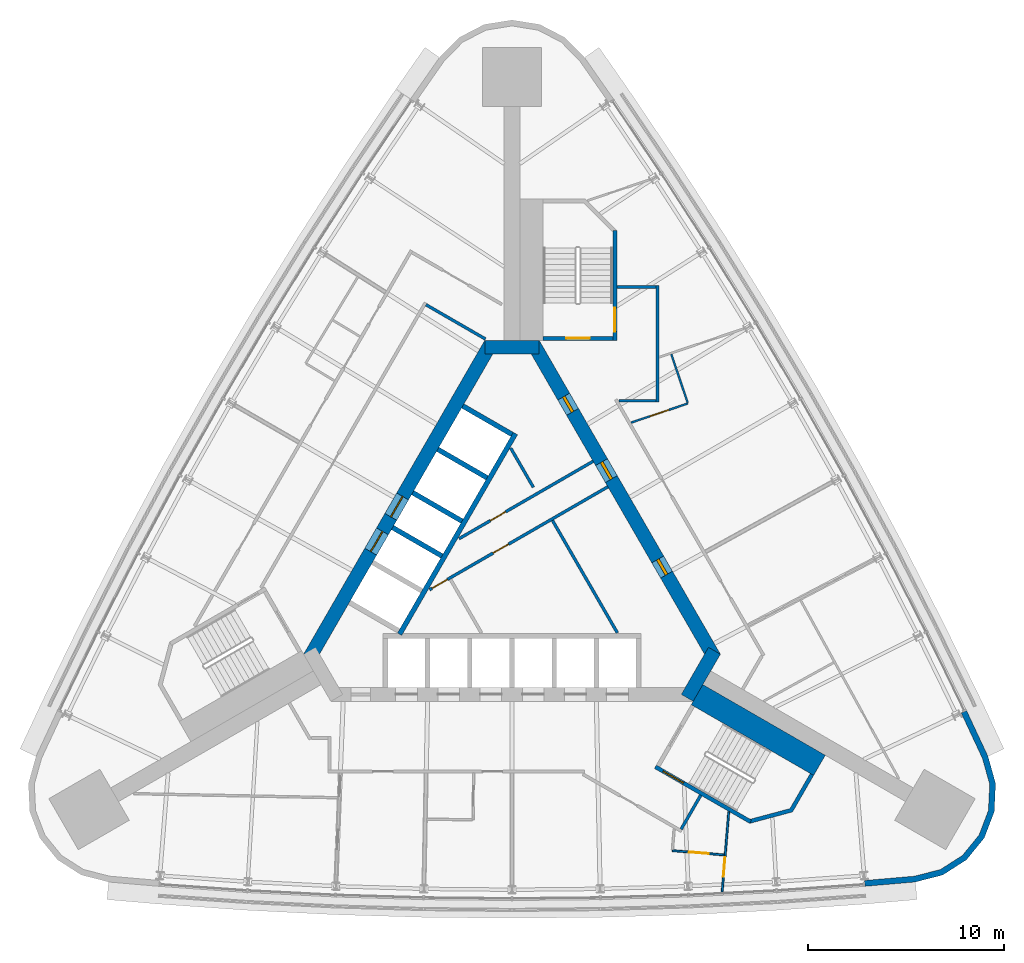
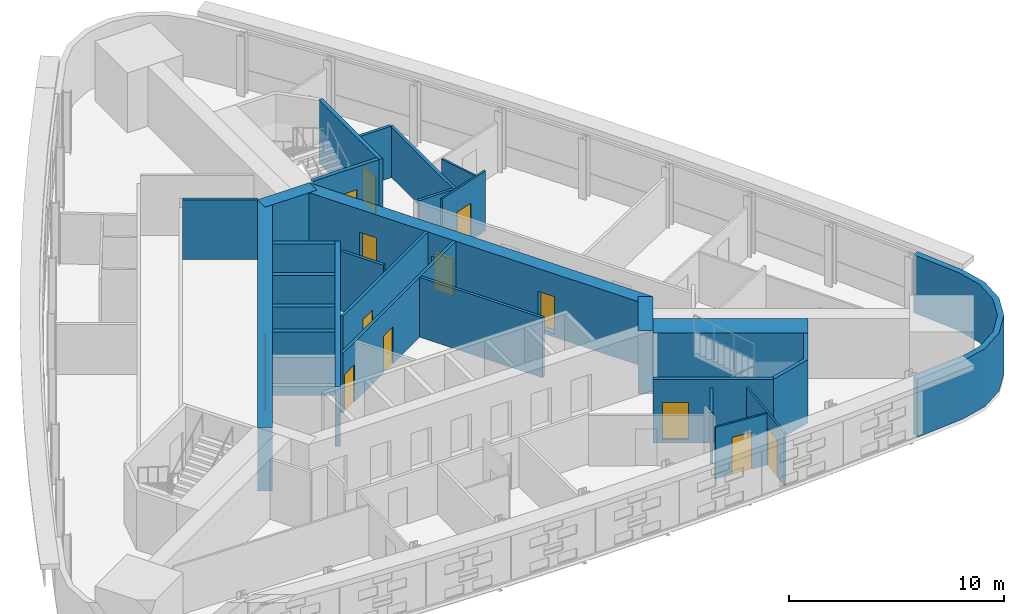
# One storey, part 8 of 11: 28 walls, 14 doors, 14 openings.
"""IFC4 building model written with IfcOpenShell, lengths in metres."""

from ifc_helpers import new_model, si_unit, direction, frame, frame_2d, origin, place, context, subcontext, project, spatial, polyline, rectangle, outline, extrude, material, layer, layer_set, type_object, element, fill, save


model = new_model("IFC4")

# Units and contexts
model_context = context("Model", 3, precision=1e-05, world=origin(), true_north=direction((0.0, 1.0)))
body_context = subcontext(model_context, "Body", "Model", "MODEL_VIEW")
ifc_project = project(units=[si_unit("LENGTHUNIT", "METRE"), si_unit("AREAUNIT", "SQUARE_METRE"), si_unit("VOLUMEUNIT", "CUBIC_METRE"), si_unit("PLANEANGLEUNIT", "RADIAN"), si_unit("MASSUNIT", "GRAM", prefix="KILO")], contexts=[model_context])

# Site, building, storey
site_placement = place(None, origin())
site = spatial("IfcSite", under=ifc_project, at=site_placement, CompositionType="ELEMENT")
building_placement = place(site_placement, origin())
building = spatial("IfcBuilding", under=site, at=building_placement, Name="Noor Cloister Tower", CompositionType="ELEMENT")
storey_placement = place(building_placement, frame((0.0, 0.0, 109.5)))
storey = spatial("IfcBuildingStorey", under=building, at=storey_placement, Name="L28", CompositionType="ELEMENT", Elevation=109.5)

# Wall, openings, doors
ifc_material_1 = material(Name="Concrete C30/37", Category="concrete")
ifc_layer_1 = layer(ifc_material_1, 0.14990234375)
ifc_layer_set_1 = layer_set([ifc_layer_1], Name="Core partition 150 C30/37")
wall_type_1 = type_object("IfcWallType", Name="Core partition 150 C30/37", PredefinedType="PARTITIONING", material=ifc_layer_set_1)
wall_1_placement = place(storey_placement, frame((-4.19775390625, -1.244384765625, 0.0), z_axis=(0.0, 0.0, 1.0), x_axis=(0.866020798945, 0.500007975732, 0.0)))
wall_1 = element("IfcWall", 1, at=wall_1_placement, inside=storey, type_object=wall_type_1, Name="Core room partition L28 1", PredefinedType="PARTITIONING", context=body_context, shape_type="SweptSolid", body=[
    extrude(rectangle(XDim=10.485595703125, YDim=0.14990234375, at=frame_2d((5.24267578125, 0.0))), origin(), (0.0, 0.0, 1.0), 3.39990234375),
])
opening_1_placement = place(wall_1_placement, frame((3.735595703125, 0.0, 0.0)))
opening_1 = element("IfcOpeningElement", 2, at=opening_1_placement, cuts=wall_1, Name="Opening L28-904", PredefinedType="OPENING", context=body_context, shape_type="SweptSolid", body=[
    extrude(rectangle(XDim=0.89990234375, YDim=2.10009765625, at=frame_2d((0.449951171875, 1.050048828125))), frame((0.0, 0.0849609375, 0.0), z_axis=(0.0, -1.0, 0.0), x_axis=(1.0, 0.0, 0.0)), (0.0, 0.0, 1.0), 0.169921875),
])
opening_2_placement = place(wall_1_placement, frame((0.143798828125, 0.0, 0.0)))
opening_2 = element("IfcOpeningElement", 3, at=opening_2_placement, cuts=wall_1, Name="Opening L28-906", PredefinedType="OPENING", context=body_context, shape_type="SweptSolid", body=[
    extrude(rectangle(XDim=0.89990234375, YDim=2.10009765625, at=frame_2d((0.449951171875, 1.050048828125))), frame((0.0, 0.0849609375, 0.0), z_axis=(0.0, -1.0, 0.0), x_axis=(1.0, 0.0, 0.0)), (0.0, 0.0, 1.0), 0.169921875),
])
ifc_material_2 = material(Name="Steel", Category="steel")
door_type_1 = type_object("IfcDoorType", Name="Core door 900 x 2100 FD120", OperationType="SINGLE_SWING_LEFT", PredefinedType="DOOR", material=ifc_material_2)
door_1_placement = place(opening_2_placement, origin())
door_1 = element("IfcDoor", 4, at=door_1_placement, inside=storey, type_object=door_type_1, Name="Core door 6 L28", OperationType="SINGLE_SWING_RIGHT", OverallHeight=2.10009765625, OverallWidth=0.89990234375, PredefinedType="DOOR", context=body_context, shape_type="SweptSolid", body=[
    extrude(rectangle(XDim=0.89990234375, YDim=2.10009765625, at=frame_2d((0.449951171875, 1.050048828125))), frame((0.0, 0.02490234375, 0.0), z_axis=(0.0, -1.0, 0.0), x_axis=(1.0, 0.0, 0.0)), (0.0, 0.0, 1.0), 0.050048828125),
])
fill(opening_2, door_1)
ifc_material_3 = material(Name="Steel", Category="steel")
door_type_2 = type_object("IfcDoorType", Name="Core door 900 x 2100 FD60", OperationType="SINGLE_SWING_LEFT", PredefinedType="DOOR", material=ifc_material_3)
door_2_placement = place(opening_1_placement, origin())
door_2 = element("IfcDoor", 5, at=door_2_placement, inside=storey, type_object=door_type_2, Name="Core door 4 L28", OperationType="SINGLE_SWING_RIGHT", OverallHeight=2.10009765625, OverallWidth=0.89990234375, PredefinedType="DOOR", context=body_context, shape_type="SweptSolid", body=[
    extrude(rectangle(XDim=0.89990234375, YDim=2.10009765625, at=frame_2d((0.449951171875, 1.050048828125))), frame((0.0, 0.02490234375, 0.0), z_axis=(0.0, -1.0, 0.0), x_axis=(1.0, 0.0, 0.0)), (0.0, 0.0, 1.0), 0.050048828125),
])
fill(opening_1, door_2)

# Wall
wall_2_placement = place(storey_placement, frame((5.36669921875, -3.439208984375, 0.0), z_axis=(0.0, 0.0, 1.0), x_axis=(-0.499981499682, 0.866036084685, 0.0)))
element("IfcWall", 6, at=wall_2_placement, inside=storey, type_object=wall_type_1, Name="Core room partition L28 2", PredefinedType="PARTITIONING", context=body_context, shape_type="SweptSolid", body=[
    extrude(rectangle(XDim=6.608154296875, YDim=0.14990234375, at=frame_2d((3.30419921875, 0.0))), origin(), (0.0, 0.0, 1.0), 3.39990234375),
])

# Wall, opening, door
wall_3_placement = place(storey_placement, frame((-2.69775390625, 1.353759765625, 0.0), z_axis=(0.0, 0.0, 1.0), x_axis=(0.866021157486, 0.500007354732, 0.0)))
wall_3 = element("IfcWall", 7, at=wall_3_placement, inside=storey, type_object=wall_type_1, Name="Core room partition L28 4", PredefinedType="PARTITIONING", context=body_context, shape_type="SweptSolid", body=[
    extrude(rectangle(XDim=7.8876953125, YDim=0.14990234375, at=frame_2d((3.94384765625, 0.0))), origin(), (0.0, 0.0, 1.0), 3.39990234375),
])
opening_3_placement = place(wall_3_placement, frame((1.8447265625, 0.0, 0.0)))
opening_3 = element("IfcOpeningElement", 8, at=opening_3_placement, cuts=wall_3, Name="Opening L28-905", PredefinedType="OPENING", context=body_context, shape_type="SweptSolid", body=[
    extrude(rectangle(XDim=0.89990234375, YDim=2.10009765625, at=frame_2d((0.449951171875, 1.050048828125))), frame((0.0, 0.0849609375, 0.0), z_axis=(0.0, -1.0, 0.0), x_axis=(1.0, 0.0, 0.0)), (0.0, 0.0, 1.0), 0.169921875),
])
door_3_placement = place(opening_3_placement, origin())
door_3 = element("IfcDoor", 9, at=door_3_placement, inside=storey, type_object=door_type_1, Name="Core door 5 L28", OperationType="SINGLE_SWING_LEFT", OverallHeight=2.10009765625, OverallWidth=0.89990234375, PredefinedType="DOOR", context=body_context, shape_type="SweptSolid", body=[
    extrude(rectangle(XDim=0.89990234375, YDim=2.10009765625, at=frame_2d((0.449951171875, 1.050048828125))), frame((0.0, 0.02490234375, 0.0), z_axis=(0.0, -1.0, 0.0), x_axis=(1.0, 0.0, 0.0)), (0.0, 0.0, 1.0), 0.050048828125),
])
fill(opening_3, door_3)

# Walls
wall_4_placement = place(storey_placement, frame((1.087890625, 3.972412109375, 0.0), z_axis=(0.0, 0.0, 1.0), x_axis=(-0.500116913307, 0.865957893332, 0.0)))
element("IfcWall", 10, at=wall_4_placement, inside=storey, type_object=wall_type_1, Name="Core room partition L28 5", PredefinedType="PARTITIONING", context=body_context, shape_type="SweptSolid", body=[
    extrude(rectangle(XDim=2.3037109375, YDim=0.14990234375, at=frame_2d((1.15185546875, 0.0))), origin(), (0.0, 0.0, 1.0), 3.39990234375),
])
ifc_material_4 = material(Name="Concrete C80/95", Category="concrete")
ifc_layer_2 = layer(ifc_material_4, 0.699951171875)
ifc_layer_set_2 = layer_set([ifc_layer_2], Name="Core wall 700 C80/95")
wall_type_2 = type_object("IfcWallType", Name="Core wall 700 C80/95", PredefinedType="SHEAR", material=ifc_layer_set_2)
wall_5_placement = place(storey_placement, frame((8.925537109375, -6.753173828125, -0.199951171875), z_axis=(0.0, 0.0, 1.0), x_axis=(0.500042739161, 0.866000726912, 0.0)))
element("IfcWall", 11, at=wall_5_placement, inside=storey, type_object=wall_type_2, Name="Core wall L28 2", PredefinedType="SHEAR", context=body_context, shape_type="SweptSolid", body=[
    extrude(rectangle(XDim=2.771240234375, YDim=0.699951171875, at=frame_2d((1.3857421875, 0.0))), origin(), (0.0, 0.0, 1.0), 3.599853515625),
])

# Wall, openings, doors
wall_6_placement = place(storey_placement, frame((10.311279296875, -4.703125, -0.199951171875), z_axis=(0.0, 0.0, 1.0), x_axis=(-0.500001446645, 0.866024568562, 0.0)))
wall_6 = element("IfcWall", 12, at=wall_6_placement, inside=storey, type_object=wall_type_2, Name="Core wall L28 3", PredefinedType="SHEAR", context=body_context, shape_type="SweptSolid", body=[
    extrude(rectangle(XDim=18.45751953125, YDim=0.699951171875, at=frame_2d((9.228759765625, 0.0))), origin(), (0.0, 0.0, 1.0), 3.599853515625),
])
opening_4_placement = place(wall_6_placement, frame((10.5, 0.0, 0.199951171875)))
opening_4 = element("IfcOpeningElement", 13, at=opening_4_placement, cuts=wall_6, Name="Opening L28-901", PredefinedType="OPENING", context=body_context, shape_type="SweptSolid", body=[
    extrude(rectangle(XDim=1.0, YDim=2.10009765625, at=frame_2d((0.5, 1.050048828125))), frame((0.0, 0.35986328125, 0.0), z_axis=(0.0, -1.0, 0.0), x_axis=(1.0, 0.0, 0.0)), (0.0, 0.0, 1.0), 0.719970703125),
])
opening_5_placement = place(wall_6_placement, frame((4.876953125, 0.0, 0.199951171875)))
opening_5 = element("IfcOpeningElement", 14, at=opening_5_placement, cuts=wall_6, Name="Opening L28-902", PredefinedType="OPENING", context=body_context, shape_type="SweptSolid", body=[
    extrude(rectangle(XDim=0.89990234375, YDim=2.10009765625, at=frame_2d((0.449951171875, 1.050048828125))), frame((0.0, 0.35986328125, 0.0), z_axis=(0.0, -1.0, 0.0), x_axis=(1.0, 0.0, 0.0)), (0.0, 0.0, 1.0), 0.719970703125),
])
opening_6_placement = place(wall_6_placement, frame((14.45166015625, 0.0, 0.199951171875)))
opening_6 = element("IfcOpeningElement", 15, at=opening_6_placement, cuts=wall_6, Name="Opening L28-903", PredefinedType="OPENING", context=body_context, shape_type="SweptSolid", body=[
    extrude(rectangle(XDim=0.89990234375, YDim=2.10009765625, at=frame_2d((0.449951171875, 1.050048828125))), frame((0.0, 0.35986328125, 0.0), z_axis=(0.0, -1.0, 0.0), x_axis=(1.0, 0.0, 0.0)), (0.0, 0.0, 1.0), 0.719970703125),
])
ifc_material_5 = material(Name="Steel", Category="steel")
door_type_3 = type_object("IfcDoorType", Name="Core door 1000 x 2100 FD120", OperationType="SINGLE_SWING_LEFT", PredefinedType="DOOR", material=ifc_material_5)
door_4_placement = place(opening_4_placement, origin())
door_4 = element("IfcDoor", 16, at=door_4_placement, inside=storey, type_object=door_type_3, Name="Core door 1 L28", OperationType="SINGLE_SWING_LEFT", OverallHeight=2.10009765625, OverallWidth=1.0, PredefinedType="DOOR", context=body_context, shape_type="SweptSolid", body=[
    extrude(rectangle(XDim=1.0, YDim=2.10009765625, at=frame_2d((0.5, 1.050048828125))), frame((0.0, 0.074951171875, 0.0), z_axis=(0.0, -1.0, 0.0), x_axis=(1.0, 0.0, 0.0)), (0.0, 0.0, 1.0), 0.14990234375),
])
fill(opening_4, door_4)
door_5_placement = place(opening_5_placement, origin())
door_5 = element("IfcDoor", 17, at=door_5_placement, inside=storey, type_object=door_type_1, Name="Core door 2 L28", OperationType="SINGLE_SWING_RIGHT", OverallHeight=2.10009765625, OverallWidth=0.89990234375, PredefinedType="DOOR", context=body_context, shape_type="SweptSolid", body=[
    extrude(rectangle(XDim=0.89990234375, YDim=2.10009765625, at=frame_2d((0.449951171875, 1.050048828125))), frame((0.0, 0.074951171875, 0.0), z_axis=(0.0, -1.0, 0.0), x_axis=(1.0, 0.0, 0.0)), (0.0, 0.0, 1.0), 0.14990234375),
])
fill(opening_5, door_5)
door_6_placement = place(opening_6_placement, origin())
door_6 = element("IfcDoor", 18, at=door_6_placement, inside=storey, type_object=door_type_1, Name="Core door 3 L28", OperationType="SINGLE_SWING_LEFT", OverallHeight=2.10009765625, OverallWidth=0.89990234375, PredefinedType="DOOR", context=body_context, shape_type="SweptSolid", body=[
    extrude(rectangle(XDim=0.89990234375, YDim=2.10009765625, at=frame_2d((0.449951171875, 1.050048828125))), frame((0.0, 0.074951171875, 0.0), z_axis=(0.0, -1.0, 0.0), x_axis=(1.0, 0.0, 0.0)), (0.0, 0.0, 1.0), 0.14990234375),
])
fill(opening_6, door_6)

# Wall
wall_7_placement = place(storey_placement, frame((1.3857421875, 11.1064453125, -0.199951171875), z_axis=(0.0, 0.0, 1.0), x_axis=(-1.0, 0.0, 0.0)))
element("IfcWall", 19, at=wall_7_placement, inside=storey, type_object=wall_type_2, Name="Core wall L28 4", PredefinedType="SHEAR", context=body_context, shape_type="SweptSolid", body=[
    extrude(rectangle(XDim=2.771484375, YDim=0.699951171875, at=frame_2d((1.3857421875, 0.0))), origin(), (0.0, 0.0, 1.0), 3.599853515625),
])

# Wall, openings, doors
wall_8_placement = place(storey_placement, frame((-1.08251953125, 11.281494140625, -0.199951171875), z_axis=(0.0, 0.0, 1.0), x_axis=(-0.500001446645, -0.866024568562, 0.0)))
wall_8 = element("IfcWall", 20, at=wall_8_placement, inside=storey, type_object=wall_type_2, Name="Core wall L28 5", PredefinedType="SHEAR", context=body_context, shape_type="SweptSolid", body=[
    extrude(rectangle(XDim=18.45751953125, YDim=0.699951171875, at=frame_2d((9.228759765625, 0.0))), origin(), (0.0, 0.0, 1.0), 3.599853515625),
])
opening_7_placement = place(wall_8_placement, frame((8.978759765625, 0.0, 0.199951171875)))
opening_7 = element("IfcOpeningElement", 21, at=opening_7_placement, cuts=wall_8, Name="Opening L28-FF1", PredefinedType="OPENING", context=body_context, shape_type="SweptSolid", body=[
    extrude(rectangle(XDim=1.199951171875, YDim=2.10009765625, at=frame_2d((0.60009765625, 1.050048828125))), frame((0.0, 0.35986328125, 0.0), z_axis=(0.0, -1.0, 0.0), x_axis=(1.0, 0.0, 0.0)), (0.0, 0.0, 1.0), 0.719970703125),
])
opening_8_placement = place(wall_8_placement, frame((11.02880859375, 0.0, 0.199951171875)))
opening_8 = element("IfcOpeningElement", 22, at=opening_8_placement, cuts=wall_8, Name="Opening L28-FF2", PredefinedType="OPENING", context=body_context, shape_type="SweptSolid", body=[
    extrude(rectangle(XDim=1.199951171875, YDim=2.10009765625, at=frame_2d((0.60009765625, 1.050048828125))), frame((0.0, 0.35986328125, 0.0), z_axis=(0.0, -1.0, 0.0), x_axis=(1.0, 0.0, 0.0)), (0.0, 0.0, 1.0), 0.719970703125),
])
ifc_material_6 = material(Name="Stainless steel", Category="steel")
door_type_4 = type_object("IfcDoorType", Name="Lift landing door 1200 x 2100", OperationType="DOUBLE_DOOR_SLIDING", PredefinedType="DOOR", material=ifc_material_6)
door_7_placement = place(opening_7_placement, origin())
door_7 = element("IfcDoor", 23, at=door_7_placement, inside=storey, type_object=door_type_4, Name="Landing door FF1 L28", OperationType="DOUBLE_DOOR_SLIDING", OverallHeight=2.10009765625, OverallWidth=1.199951171875, PredefinedType="DOOR", context=body_context, shape_type="SweptSolid", body=[
    extrude(rectangle(XDim=1.199951171875, YDim=2.10009765625, at=frame_2d((0.60009765625, 1.050048828125))), frame((0.0, 0.02490234375, 0.0), z_axis=(0.0, -1.0, 0.0), x_axis=(1.0, 0.0, 0.0)), (0.0, 0.0, 1.0), 0.050048828125),
])
fill(opening_7, door_7)
door_8_placement = place(opening_8_placement, origin())
door_8 = element("IfcDoor", 24, at=door_8_placement, inside=storey, type_object=door_type_4, Name="Landing door FF2 L28", OperationType="DOUBLE_DOOR_SLIDING", OverallHeight=2.10009765625, OverallWidth=1.199951171875, PredefinedType="DOOR", context=body_context, shape_type="SweptSolid", body=[
    extrude(rectangle(XDim=1.199951171875, YDim=2.10009765625, at=frame_2d((0.60009765625, 1.050048828125))), frame((0.0, 0.02490234375, 0.0), z_axis=(0.0, -1.0, 0.0), x_axis=(1.0, 0.0, 0.0)), (0.0, 0.0, 1.0), 0.050048828125),
])
fill(opening_8, door_8)

# Walls
ifc_material_7 = material(Name="Fire-rated gypsum board partition on steel studs, 150 mm", Category="steel")
ifc_layer_3 = layer(ifc_material_7, 0.14990234375)
ifc_layer_set_3 = layer_set([ifc_layer_3], Name="Fire lobby wall 150")
wall_type_3 = type_object("IfcWallType", Name="Fire lobby wall 150", PredefinedType="PARTITIONING", material=ifc_layer_set_3)
wall_9_placement = place(storey_placement, frame((-4.379150390625, 13.271484375, 0.0), z_axis=(0.0, 0.0, 1.0), x_axis=(0.866019471182, -0.500010275428, 0.0)))
element("IfcWall", 25, at=wall_9_placement, inside=storey, type_object=wall_type_3, Name="Fire lobby wall 150 L28 008", PredefinedType="PARTITIONING", context=body_context, shape_type="SweptSolid", body=[
    extrude(rectangle(XDim=3.5, YDim=0.14990234375, at=frame_2d((1.75, 0.0))), origin(), (0.0, 0.0, 1.0), 3.39990234375),
])
ifc_material_8 = material(Name="Gypsum board partition on steel studs, 150 mm", Category="steel")
ifc_layer_4 = layer(ifc_material_8, 0.14990234375)
ifc_layer_set_4 = layer_set([ifc_layer_4], Name="Flat wall 150")
wall_type_4 = type_object("IfcWallType", Name="Flat wall 150", PredefinedType="PARTITIONING", material=ifc_layer_set_4)
wall_10_placement = place(storey_placement, frame((7.41064453125, 8.306396484375, 0.0), z_axis=(0.0, 0.0, 1.0), x_axis=(0.0, 1.0, 0.0)))
element("IfcWall", 26, at=wall_10_placement, inside=storey, type_object=wall_type_4, Name="Flat wall 150 L28 006", PredefinedType="PARTITIONING", context=body_context, shape_type="SweptSolid", body=[
    extrude(rectangle(XDim=5.949951171875, YDim=0.14990234375, at=frame_2d((2.97509765625, 0.0))), origin(), (0.0, 0.0, 1.0), 2.846923828125),
])
for number, where, z_axis, x_axis, name in (
    (27, (5.335693359375, 14.181396484375, 0.0), (0.0, 0.0, 1.0), (1.0, 0.0, 0.0), "Flat wall 150 L28 009"),
    (28, (8.613525390625, -13.443603515625, 0.0), (0.0, 0.0, 1.0), (0.499972520799, 0.866041268327, 0.0), "Flat wall 150 L28 010"),
):
    element("IfcWall", number, at=place(storey_placement, frame(where, z_axis=z_axis, x_axis=x_axis)), inside=storey, type_object=wall_type_4, Name=name, PredefinedType="PARTITIONING", context=body_context, shape_type="SweptSolid", body=[
        extrude(rectangle(XDim=2.0, YDim=0.14990234375, at=frame_2d((1.0, 0.0))), origin(), (0.0, 0.0, 1.0), 2.923095703125),
    ])
wall_11_placement = place(storey_placement, frame((5.4560546875, 8.38134765625, 0.0), z_axis=(0.0, 0.0, 1.0), x_axis=(1.0, 0.0, 0.0)))
element("IfcWall", 29, at=wall_11_placement, inside=storey, type_object=wall_type_4, Name="Flat wall 150 L28 013", PredefinedType="PARTITIONING", context=body_context, shape_type="SweptSolid", body=[
    extrude(rectangle(XDim=1.879638671875, YDim=0.14990234375, at=frame_2d((0.93994140625, 0.0))), origin(), (0.0, 0.0, 1.0), 2.846923828125),
])
ifc_material_9 = material(Name="Limestone", Category="masonry")
ifc_layer_5 = layer(ifc_material_9, 0.300048828125)
ifc_layer_set_5 = layer_set([ifc_layer_5], Name="Limestone cladding 300")
wall_type_5 = type_object("IfcWallType", Name="Limestone cladding 300", PredefinedType="NOTDEFINED", material=ifc_layer_set_5)
wall_12_placement = place(storey_placement, origin())
element("IfcWall", 30, at=wall_12_placement, inside=storey, type_object=wall_type_5, Name="Limestone pier cladding L28 2.1", PredefinedType="NOTDEFINED", context=body_context, shape_type="SweptSolid", body=[
    extrude(outline(polyline([(17.980712890625, -16.35205078125), (20.550537109375, -16.13037109375), (21.940185546875, -15.77392578125), (23.1484375, -15.000244140625), (24.0537109375, -13.887451171875), (24.56494140625, -12.546875), (24.630615234375, -11.11376953125), (24.24462890625, -9.732177734375), (23.151611328125, -7.395751953125), (22.8798828125, -7.522705078125), (23.96240234375, -9.8369140625), (24.328857421875, -11.148193359375), (24.267333984375, -12.485107421875), (23.79052734375, -13.7353515625), (22.946044921875, -14.773681640625), (21.819091796875, -15.495361328125), (20.5, -15.83349609375), (17.954833984375, -16.05322265625), (17.980712890625, -16.35205078125)])), origin(), (0.0, 0.0, 1.0), 3.300048828125),
])

# Wall, opening, door
ifc_material_10 = material(Name="Gypsum board partition on steel studs, 100 mm", Category="steel")
ifc_layer_6 = layer(ifc_material_10, 0.10009765625)
ifc_layer_set_6 = layer_set([ifc_layer_6], Name="Partition 100")
wall_type_6 = type_object("IfcWallType", Name="Partition 100", PredefinedType="PARTITIONING", material=ifc_layer_set_6)
wall_13_placement = place(storey_placement, frame((11.040283203125, -12.559814453125, 0.0), z_axis=(0.0, 0.0, 1.0), x_axis=(-0.08207509454, -0.996626147989, 0.0)))
wall_13 = element("IfcWall", 31, at=wall_13_placement, inside=storey, type_object=wall_type_6, Name="Partition 100 L28 028", PredefinedType="PARTITIONING", context=body_context, shape_type="SweptSolid", body=[
    extrude(rectangle(XDim=4.10205078125, YDim=0.10009765625, at=frame_2d((2.051025390625, 0.0))), origin(), (0.0, 0.0, 1.0), 2.97412109375),
])
opening_9_placement = place(wall_13_placement, frame((2.32373046875, 0.0, 0.0)))
opening_9 = element("IfcOpeningElement", 32, at=opening_9_placement, cuts=wall_13, Name="Opening L28-018", PredefinedType="OPENING", context=body_context, shape_type="SweptSolid", body=[
    extrude(rectangle(XDim=1.0, YDim=2.10009765625, at=frame_2d((0.5, 1.050048828125))), frame((0.0, 0.06005859375, 0.0), z_axis=(0.0, -1.0, 0.0), x_axis=(1.0, 0.0, 0.0)), (0.0, 0.0, 1.0), 0.1201171875),
])
ifc_material_11 = material(Name="Timber door leaf with steel frame", Category="steel")
door_type_5 = type_object("IfcDoorType", Name="Interior door 1000", OperationType="NOTDEFINED", PredefinedType="DOOR", material=ifc_material_11)
door_9_placement = place(opening_9_placement, origin())
door_9 = element("IfcDoor", 33, at=door_9_placement, inside=storey, type_object=door_type_5, Name="Interior door 1000 L28-018", OperationType="SINGLE_SWING_RIGHT", OverallHeight=2.10009765625, OverallWidth=1.0, PredefinedType="DOOR", context=body_context, shape_type="SweptSolid", body=[
    extrude(rectangle(XDim=1.0, YDim=2.10009765625, at=frame_2d((0.5, 1.050048828125))), frame((0.0, 0.02490234375, 0.0), z_axis=(0.0, -1.0, 0.0), x_axis=(1.0, 0.0, 0.0)), (0.0, 0.0, 1.0), 0.050048828125),
])
fill(opening_9, door_9)

wall_14_placement = place(storey_placement, frame((6.06689453125, 7.267822265625, 0.0), z_axis=(0.0, 0.0, 1.0), x_axis=(0.94756585242, 0.319560565978, 0.0)))
wall_14 = element("IfcWall", 34, at=wall_14_placement, inside=storey, type_object=wall_type_6, Name="Partition 100 L28 030", PredefinedType="PARTITIONING", context=body_context, shape_type="SweptSolid", body=[
    extrude(rectangle(XDim=3.052978515625, YDim=0.10009765625, at=frame_2d((1.5263671875, 0.0))), origin(), (0.0, 0.0, 1.0), 3.39990234375),
])
opening_10_placement = place(wall_14_placement, frame((1.021484375, 0.0, 0.0)))
opening_10 = element("IfcOpeningElement", 35, at=opening_10_placement, cuts=wall_14, Name="Opening L28-020", PredefinedType="OPENING", context=body_context, shape_type="SweptSolid", body=[
    extrude(rectangle(XDim=1.0, YDim=2.10009765625, at=frame_2d((0.5, 1.050048828125))), frame((0.0, 0.06005859375, 0.0), z_axis=(0.0, -1.0, 0.0), x_axis=(1.0, 0.0, 0.0)), (0.0, 0.0, 1.0), 0.1201171875),
])
door_10_placement = place(opening_10_placement, origin())
door_10 = element("IfcDoor", 36, at=door_10_placement, inside=storey, type_object=door_type_5, Name="Interior door 1000 L28-020", OperationType="SINGLE_SWING_LEFT", OverallHeight=2.10009765625, OverallWidth=1.0, PredefinedType="DOOR", context=body_context, shape_type="SweptSolid", body=[
    extrude(rectangle(XDim=1.0, YDim=2.10009765625, at=frame_2d((0.5, 1.050048828125))), frame((0.0, 0.02490234375, 0.0), z_axis=(0.0, -1.0, 0.0), x_axis=(1.0, 0.0, 0.0)), (0.0, 0.0, 1.0), 0.050048828125),
])
fill(opening_10, door_10)

wall_15_placement = place(storey_placement, frame((8.16845703125, -14.534423828125, 0.0), z_axis=(0.0, 0.0, 1.0), x_axis=(0.996625350035, -0.082084783406, 0.0)))
wall_15 = element("IfcWall", 37, at=wall_15_placement, inside=storey, type_object=wall_type_6, Name="Partition 100 L28 031", PredefinedType="PARTITIONING", context=body_context, shape_type="SweptSolid", body=[
    extrude(rectangle(XDim=2.650146484375, YDim=0.10009765625, at=frame_2d((1.3251953125, 0.0))), origin(), (0.0, 0.0, 1.0), 2.923095703125),
])
opening_11_placement = place(wall_15_placement, frame((0.85009765625, 0.0, 0.0)))
opening_11 = element("IfcOpeningElement", 38, at=opening_11_placement, cuts=wall_15, Name="Opening L28-021", PredefinedType="OPENING", context=body_context, shape_type="SweptSolid", body=[
    extrude(rectangle(XDim=1.0, YDim=2.10009765625, at=frame_2d((0.5, 1.050048828125))), frame((0.0, 0.06005859375, 0.0), z_axis=(0.0, -1.0, 0.0), x_axis=(1.0, 0.0, 0.0)), (0.0, 0.0, 1.0), 0.1201171875),
])
door_11_placement = place(opening_11_placement, origin())
door_11 = element("IfcDoor", 39, at=door_11_placement, inside=storey, type_object=door_type_5, Name="Interior door 1000 L28-021", OperationType="SINGLE_SWING_RIGHT", OverallHeight=2.10009765625, OverallWidth=1.0, PredefinedType="DOOR", context=body_context, shape_type="SweptSolid", body=[
    extrude(rectangle(XDim=1.0, YDim=2.10009765625, at=frame_2d((0.5, 1.050048828125))), frame((0.0, 0.02490234375, 0.0), z_axis=(0.0, -1.0, 0.0), x_axis=(1.0, 0.0, 0.0)), (0.0, 0.0, 1.0), 0.050048828125),
])
fill(opening_11, door_11)

# Walls
wall_16_placement = place(storey_placement, frame((8.113037109375, 10.75439453125, 0.0), z_axis=(0.0, 0.0, 1.0), x_axis=(0.31954997077, -0.94756942552, 0.0)))
element("IfcWall", 40, at=wall_16_placement, inside=storey, type_object=wall_type_6, Name="Partition 100 L28 032", PredefinedType="PARTITIONING", context=body_context, shape_type="SweptSolid", body=[
    extrude(rectangle(XDim=2.599853515625, YDim=0.10009765625, at=frame_2d((1.2998046875, 0.0))), origin(), (0.0, 0.0, 1.0), 2.846923828125),
])
ifc_material_12 = material(Name="Concrete C80/95", Category="concrete")
ifc_layer_7 = layer(ifc_material_12, 0.25)
ifc_layer_set_7 = layer_set([ifc_layer_7], Name="Shaft wall 250 C80/95")
wall_type_7 = type_object("IfcWallType", Name="Shaft wall 250 C80/95", PredefinedType="PARTITIONING", material=ifc_layer_set_7)
wall_17_placement = place(storey_placement, frame((-2.50634765625, 8.115478515625, -0.199951171875), z_axis=(0.0, 0.0, 1.0), x_axis=(0.865996321171, -0.50005036918, 0.0)))
element("IfcWall", 41, at=wall_17_placement, inside=storey, type_object=wall_type_7, Name="Lift shaft wall L28 NW 1", PredefinedType="PARTITIONING", context=body_context, shape_type="SweptSolid", body=[
    extrude(rectangle(XDim=2.900146484375, YDim=0.25, at=frame_2d((1.4501953125, 0.0))), origin(), (0.0, 0.0, 1.0), 3.599853515625),
])
for number, where, z_axis, x_axis, name in (
    (42, (-3.78125, 5.906982421875, -0.199951171875), (0.0, 0.0, 1.0), (0.866032775405, -0.499987231761, 0.0), "Lift shaft wall L28 NW 2"),
    (43, (-5.056396484375, 3.69873046875, -0.199951171875), (0.0, 0.0, 1.0), (0.866032775405, -0.499987231761, 0.0), "Lift shaft wall L28 NW 3"),
    (44, (-6.081298828125, 1.92333984375, -0.199951171875), (0.0, 0.0, 1.0), (0.866032775405, -0.499987231761, 0.0), "Lift shaft wall L28 NW 4"),
):
    element("IfcWall", number, at=place(storey_placement, frame(where, z_axis=z_axis, x_axis=x_axis)), inside=storey, type_object=wall_type_7, Name=name, PredefinedType="PARTITIONING", context=body_context, shape_type="SweptSolid", body=[
        extrude(rectangle(XDim=2.89990234375, YDim=0.25, at=frame_2d((1.449951171875, 0.0))), origin(), (0.0, 0.0, 1.0), 3.599853515625),
    ])
wall_18_placement = place(storey_placement, frame((0.176025390625, 6.711181640625, 0.0), z_axis=(0.0, 0.0, 1.0), x_axis=(-0.500004227369, -0.866022963098, 0.0)))
element("IfcWall", 45, at=wall_18_placement, inside=storey, type_object=wall_type_7, Name="Lift shaft back wall L28 NW", PredefinedType="PARTITIONING", context=body_context, shape_type="SweptSolid", body=[
    extrude(rectangle(XDim=11.80029296875, YDim=0.25, at=frame_2d((5.900146484375, 0.0))), origin(), (0.0, 0.0, 1.0), 3.39990234375),
])
ifc_material_13 = material(Name="Concrete C80/95", Category="concrete")
ifc_layer_8 = layer(ifc_material_13, 1.18603515625)
ifc_layer_set_8 = layer_set([ifc_layer_8], Name="Stair enclosure wall 1186 C80/95")
wall_type_8 = type_object("IfcWallType", Name="Stair enclosure wall 1186 C80/95", PredefinedType="SHEAR", material=ifc_layer_set_8)
wall_19_placement = place(storey_placement, frame((9.425048828125, -6.587890625, -0.199951171875), z_axis=(0.0, 0.0, 1.0), x_axis=(0.866018442252, -0.500012057535, 0.0)))
element("IfcWall", 46, at=wall_19_placement, inside=storey, type_object=wall_type_8, Name="Stair enclosure wall ST3 L28 riser side", PredefinedType="SHEAR", context=body_context, shape_type="SweptSolid", body=[
    extrude(rectangle(XDim=7.199951171875, YDim=1.185546875, at=frame_2d((3.60009765625, 0.0))), origin(), (0.0, 0.0, 1.0), 3.599853515625),
])

# Wall, opening, door
ifc_material_14 = material(Name="Concrete C80/95", Category="concrete")
ifc_layer_9 = layer(ifc_material_14, 0.199951171875)
ifc_layer_set_9 = layer_set([ifc_layer_9], Name="Stair enclosure wall 200 C80/95")
wall_type_9 = type_object("IfcWallType", Name="Stair enclosure wall 200 C80/95", PredefinedType="SHEAR", material=ifc_layer_set_9)
wall_20_placement = place(storey_placement, frame((5.135498046875, 11.556396484375, -0.199951171875), z_axis=(0.0, 0.0, 1.0), x_axis=(-1.0, 0.0, 0.0)))
wall_20 = element("IfcWall", 47, at=wall_20_placement, inside=storey, type_object=wall_type_9, Name="Stair enclosure wall ST1 L28 near end", PredefinedType="SHEAR", context=body_context, shape_type="SweptSolid", body=[
    extrude(rectangle(XDim=3.5498046875, YDim=0.199951171875, at=frame_2d((1.77490234375, 0.0))), origin(), (0.0, 0.0, 1.0), 3.599853515625),
])
opening_12_placement = place(wall_20_placement, frame((1.175048828125, 0.0, 0.199951171875)))
opening_12 = element("IfcOpeningElement", 48, at=opening_12_placement, cuts=wall_20, Name="Opening L28-ST1L", PredefinedType="OPENING", context=body_context, shape_type="SweptSolid", body=[
    extrude(rectangle(XDim=1.199951171875, YDim=2.10009765625, at=frame_2d((0.60009765625, 1.050048828125))), frame((0.0, 0.10986328125, 0.0), z_axis=(0.0, -1.0, 0.0), x_axis=(1.0, 0.0, 0.0)), (0.0, 0.0, 1.0), 0.219970703125),
])
ifc_material_15 = material(Name="Steel", Category="steel")
door_type_6 = type_object("IfcDoorType", Name="Stair door 1200 x 2100 FD120", OperationType="SINGLE_SWING_LEFT", PredefinedType="DOOR", material=ifc_material_15)
door_12_placement = place(opening_12_placement, origin())
door_12 = element("IfcDoor", 49, at=door_12_placement, inside=storey, type_object=door_type_6, Name="Stair door ST1 L28", OperationType="SINGLE_SWING_RIGHT", OverallHeight=2.10009765625, OverallWidth=1.199951171875, PredefinedType="DOOR", context=body_context, shape_type="SweptSolid", body=[
    extrude(rectangle(XDim=1.199951171875, YDim=2.10009765625, at=frame_2d((0.60009765625, 1.050048828125))), frame((0.0, 0.02490234375, 0.0), z_axis=(0.0, -1.0, 0.0), x_axis=(1.0, 0.0, 0.0)), (0.0, 0.0, 1.0), 0.050048828125),
])
fill(opening_12, door_12)

wall_21_placement = place(storey_placement, frame((5.235595703125, 11.456298828125, -0.199951171875), z_axis=(0.0, 0.0, 1.0), x_axis=(0.0, 1.0, 0.0)))
wall_21 = element("IfcWall", 50, at=wall_21_placement, inside=storey, type_object=wall_type_9, Name="Stair enclosure wall ST1 L28 outer side", PredefinedType="SHEAR", context=body_context, shape_type="SweptSolid", body=[
    extrude(rectangle(XDim=5.60009765625, YDim=0.199951171875, at=frame_2d((2.800048828125, 0.0))), origin(), (0.0, 0.0, 1.0), 3.599853515625),
])
opening_13_placement = place(wall_21_placement, frame((0.449951171875, 0.0, 0.199951171875)))
opening_13 = element("IfcOpeningElement", 51, at=opening_13_placement, cuts=wall_21, Name="Opening L28-ST1C", PredefinedType="OPENING", context=body_context, shape_type="SweptSolid", body=[
    extrude(rectangle(XDim=1.199951171875, YDim=2.10009765625, at=frame_2d((0.60009765625, 1.050048828125))), frame((0.0, 0.10986328125, 0.0), z_axis=(0.0, -1.0, 0.0), x_axis=(1.0, 0.0, 0.0)), (0.0, 0.0, 1.0), 0.219970703125),
])
door_13_placement = place(opening_13_placement, origin())
door_13 = element("IfcDoor", 52, at=door_13_placement, inside=storey, type_object=door_type_6, Name="Stair door ST1 L28", OperationType="SINGLE_SWING_LEFT", OverallHeight=2.10009765625, OverallWidth=1.199951171875, PredefinedType="DOOR", context=body_context, shape_type="SweptSolid", body=[
    extrude(rectangle(XDim=1.199951171875, YDim=2.10009765625, at=frame_2d((0.60009765625, 1.050048828125))), frame((0.0, 0.02490234375, 0.0), z_axis=(0.0, -1.0, 0.0), x_axis=(1.0, 0.0, 0.0)), (0.0, 0.0, 1.0), 0.050048828125),
])
fill(opening_13, door_13)

wall_22_placement = place(storey_placement, frame((7.3037109375, -10.262451171875, -0.199951171875), z_axis=(0.0, 0.0, 1.0), x_axis=(0.866026594901, -0.49999793692, 0.0)))
wall_22 = element("IfcWall", 53, at=wall_22_placement, inside=storey, type_object=wall_type_9, Name="Stair enclosure wall ST3 L28 outer side", PredefinedType="SHEAR", context=body_context, shape_type="SweptSolid", body=[
    extrude(rectangle(XDim=5.60009765625, YDim=0.199951171875, at=frame_2d((2.800048828125, 0.0))), origin(), (0.0, 0.0, 1.0), 3.599853515625),
])
opening_14_placement = place(wall_22_placement, frame((0.449951171875, 0.0, 0.199951171875)))
opening_14 = element("IfcOpeningElement", 54, at=opening_14_placement, cuts=wall_22, Name="Opening L28-ST3C", PredefinedType="OPENING", context=body_context, shape_type="SweptSolid", body=[
    extrude(rectangle(XDim=1.199951171875, YDim=2.10009765625, at=frame_2d((0.60009765625, 1.050048828125))), frame((0.0, 0.10986328125, 0.0), z_axis=(0.0, -1.0, 0.0), x_axis=(1.0, 0.0, 0.0)), (0.0, 0.0, 1.0), 0.219970703125),
])
door_14_placement = place(opening_14_placement, origin())
door_14 = element("IfcDoor", 55, at=door_14_placement, inside=storey, type_object=door_type_6, Name="Stair door ST3 L28", OperationType="SINGLE_SWING_LEFT", OverallHeight=2.10009765625, OverallWidth=1.199951171875, PredefinedType="DOOR", context=body_context, shape_type="SweptSolid", body=[
    extrude(rectangle(XDim=1.199951171875, YDim=2.10009765625, at=frame_2d((0.60009765625, 1.050048828125))), frame((0.0, 0.02490234375, 0.0), z_axis=(0.0, -1.0, 0.0), x_axis=(1.0, 0.0, 0.0)), (0.0, 0.0, 1.0), 0.050048828125),
])
fill(opening_14, door_14)

# Wall
ifc_material_16 = material(Name="Concrete C80/95", Category="concrete")
wall_type_10 = type_object("IfcWallType", Name="Stair far end wall C80/95", PredefinedType="SHEAR", material=ifc_material_16)
wall_23_placement = place(storey_placement, frame((0.0, 0.0, -0.199951171875)))
element("IfcWall", 56, at=wall_23_placement, inside=storey, type_object=wall_type_10, Name="Stair enclosure wall ST3 L28 far end", PredefinedType="SHEAR", context=body_context, shape_type="SweptSolid", body=[
    extrude(outline(polyline([(12.103515625, -13.14892578125), (14.2890625, -12.5634765625), (15.364013671875, -10.701416015625), (15.19091796875, -10.601318359375), (14.1572265625, -12.3916015625), (12.131591796875, -12.934326171875), (12.20361328125, -12.975830078125), (12.20361328125, -12.975830078125), (12.20361328125, -12.975830078125), (12.20361328125, -12.975830078125), (12.20361328125, -12.975830078125), (12.20361328125, -12.975830078125), (12.20361328125, -12.975830078125), (12.20361328125, -12.975830078125), (12.20361328125, -12.975830078125), (12.20361328125, -12.975830078125), (12.20361328125, -12.975830078125), (12.20361328125, -12.975830078125), (12.20361328125, -12.975830078125), (12.20361328125, -12.975830078125), (12.20361328125, -12.975830078125), (12.20361328125, -12.975830078125), (12.20361328125, -12.975830078125), (12.103515625, -13.14892578125)])), origin(), (0.0, 0.0, 1.0), 3.599853515625),
])

save(model, "model.ifc")
